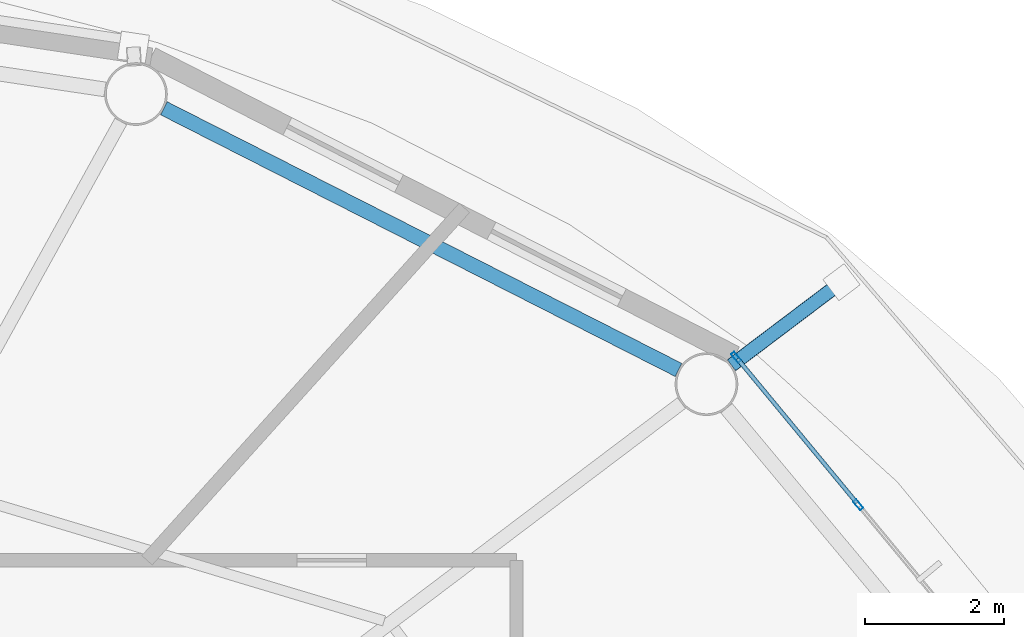
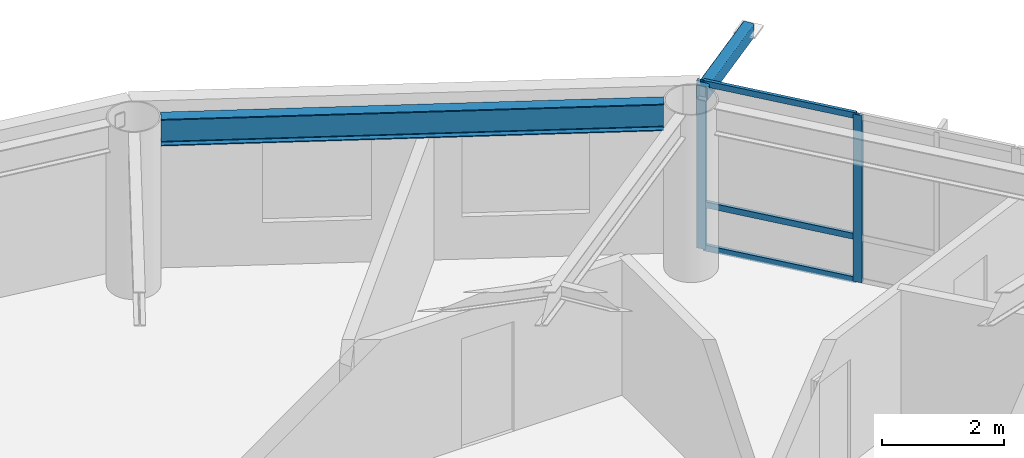
# One storey, part 11 of 22: 6 members, 1 beam, 1 element without a shape of its own.
"""IFC4 building model written with IfcOpenShell, lengths in metres."""

import ifcopenshell
import ifcopenshell.guid

model = None  # the IFC model being written
_history = None  # IfcOwnerHistory: only IFC2X3 demands one
_inside = {}  # id of a spatial element -> (the spatial element, [elements in it])
_under = {}  # id of a project, library or spatial element -> (it, [spatial elements below it])
_declared = {}  # id of a project -> (the project, [libraries it declares])
_typed = {}  # id of a type object -> (the type object, [elements of that type])
_made_of = {}  # id of a material, layer set ... -> (it, [elements and type objects made of it])


def new_model(schema):
    """Start an empty IFC model of exactly this schema.

    Asked for "IFC4X3", IfcOpenShell would pick the latest addendum, in which some entities
    have other attributes; the version numbers below select the first issue.
    IFC2X3 requires an IfcOwnerHistory on every rooted entity: one is made here for all.
    """
    global model, _history
    if schema == "IFC4X3":
        model = ifcopenshell.file(schema_version=(4, 3, 0, 0))
    else:
        model = ifcopenshell.file(schema=schema)
    _inside.clear()
    _under.clear()
    _declared.clear()
    _typed.clear()
    _made_of.clear()
    _history = None
    if model.schema == "IFC2X3":
        org = make("IfcOrganization", Name="unknown")
        user = make(
            "IfcPersonAndOrganization",
            ThePerson=make("IfcPerson", FamilyName="unknown"),
            TheOrganization=org,
        )
        app = make(
            "IfcApplication",
            ApplicationDeveloper=org,
            Version="unknown",
            ApplicationFullName="unknown",
            ApplicationIdentifier="unknown",
        )
        _history = make(
            "IfcOwnerHistory",
            OwningUser=user,
            OwningApplication=app,
            ChangeAction="ADDED",
            CreationDate=0,
        )
    return model


def make(cls, **values):
    """One entity of the class cls with the attributes given. An attribute that is None is left unset."""
    return model.create_entity(
        cls, **{name: value for name, value in values.items() if value is not None}
    )


def rooted(cls, **values):
    """An entity with a GlobalId (a new one), such as an element, a storey or a relation."""
    return make(cls, GlobalId=ifcopenshell.guid.new(), OwnerHistory=_history, **values)


def si_unit(unit_type, name, prefix=None):
    """IfcSIUnit, for example si_unit("LENGTHUNIT", "METRE", prefix="MILLI")."""
    return make("IfcSIUnit", UnitType=unit_type, Prefix=prefix, Name=name)


def assignment(units):
    """IfcUnitAssignment: the units of a project."""
    return None if units is None else make("IfcUnitAssignment", Units=units)


def point(xyz):
    """IfcCartesianPoint."""
    return None if xyz is None else make("IfcCartesianPoint", Coordinates=xyz)


def direction(xyz):
    """IfcDirection."""
    return None if xyz is None else make("IfcDirection", DirectionRatios=xyz)


def frame(location, z_axis=None, x_axis=None):
    """IfcAxis2Placement3D, a coordinate frame: its origin and axes. An axis left out is left unset."""
    return make(
        "IfcAxis2Placement3D",
        Location=point(location),
        Axis=direction(z_axis),
        RefDirection=direction(x_axis),
    )


def frame_2d(location, x_axis=None):
    """IfcAxis2Placement2D, a coordinate frame in the plane: its origin and x axis."""
    return make(
        "IfcAxis2Placement2D", Location=point(location), RefDirection=direction(x_axis)
    )


def origin():
    """The frame at (0, 0, 0) with its axes left unset."""
    return frame((0.0, 0.0, 0.0))


def origin_2d():
    """The frame at (0, 0) in the plane with its x axis left unset."""
    return frame_2d((0.0, 0.0))


def place(relative_to, where):
    """IfcLocalPlacement: puts the frame where relative to a parent placement (None: the world)."""
    return make(
        "IfcLocalPlacement", PlacementRelTo=relative_to, RelativePlacement=where
    )


def context(
    kind, dimensions, precision=None, world=None, true_north=None, identifier=None
):
    """IfcGeometricRepresentationContext, for example the 3D "Model" context."""
    return make(
        "IfcGeometricRepresentationContext",
        ContextIdentifier=identifier,
        ContextType=kind,
        CoordinateSpaceDimension=dimensions,
        Precision=precision,
        WorldCoordinateSystem=world,
        TrueNorth=true_north,
    )


def subcontext(parent, identifier, kind, view, scale=None):
    """IfcGeometricRepresentationSubContext, for example "Body" below "Model"."""
    return make(
        "IfcGeometricRepresentationSubContext",
        ContextIdentifier=identifier,
        ContextType=kind,
        ParentContext=parent,
        TargetScale=scale,
        TargetView=view,
    )


def project(units=None, contexts=None):
    """IfcProject with its units and contexts."""
    return rooted(
        "IfcProject",
        Name="project",
        RepresentationContexts=contexts,
        UnitsInContext=assignment(units),
    )


def spatial(cls, under=None, at=None, **own):
    """A site, building, storey or space (cls), placed at a placement, below another one or the project."""
    s = rooted(cls, ObjectPlacement=at, **own)
    if under is not None:
        _under.setdefault(under.id(), (under, []))[1].append(s)
    return s


def profile(cls, at=None, kind="AREA", **sizes):
    """A parametric profile (cls). Its sizes go by their IFC names, for example OverallWidth=200.0."""
    return make(cls, ProfileType=kind, Position=at, **sizes)


def hollow_rectangle(**sizes):
    """IfcRectangleHollowProfileDef."""
    return profile("IfcRectangleHollowProfileDef", **sizes)


def i_section(**sizes):
    """IfcIShapeProfileDef."""
    return profile("IfcIShapeProfileDef", **sizes)


def extrude(swept, where, along, depth):
    """IfcExtrudedAreaSolid: the profile swept, set in the frame where, extruded along a direction by depth."""
    return make(
        "IfcExtrudedAreaSolid",
        SweptArea=swept,
        Position=where,
        ExtrudedDirection=direction(along),
        Depth=depth,
    )


def shape(context_of_items, identifier, shape_type, items):
    """IfcShapeRepresentation: the items that make up one representation, for example the "Body"."""
    return make(
        "IfcShapeRepresentation",
        ContextOfItems=context_of_items,
        RepresentationIdentifier=identifier,
        RepresentationType=shape_type,
        Items=items,
    )


def material(Name=None, Category=None):
    """IfcMaterial."""
    return make("IfcMaterial", Name=Name, Category=Category)


def layer(
    of_material, thickness, ventilated=None, Name=None, Category=None, Priority=None
):
    """IfcMaterialLayer: one layer of a wall or slab, of a material (None: an air gap)."""
    return make(
        "IfcMaterialLayer",
        Material=of_material,
        LayerThickness=thickness,
        IsVentilated=ventilated,
        Name=Name,
        Category=Category,
        Priority=Priority,
    )


def layer_set(layers, Name=None):
    """IfcMaterialLayerSet."""
    return make("IfcMaterialLayerSet", MaterialLayers=layers, LayerSetName=Name)


def material_profile(
    of_material, cross_section, Name=None, Category=None, Priority=None
):
    """IfcMaterialProfile: a cross section and its material."""
    return make(
        "IfcMaterialProfile",
        Name=Name,
        Material=of_material,
        Profile=cross_section,
        Priority=Priority,
        Category=Category,
    )


def profile_set(profiles, Name=None, composite=None):
    """IfcMaterialProfileSet."""
    return make(
        "IfcMaterialProfileSet",
        Name=Name,
        MaterialProfiles=profiles,
        CompositeProfile=composite,
    )


def made_of(thing, what):
    """Note that an element or type object is made of a material, layer set ...; save() writes the relation."""
    if what is not None:
        _made_of.setdefault(what.id(), (what, []))[1].append(thing)
    return thing


def type_object(cls, material=None, **own):
    """A type object (cls), such as IfcWallType, which elements share."""
    return made_of(rooted(cls, **own), material)


def element(
    cls,
    number,
    at=None,
    inside=None,
    cuts=None,
    type_object=None,
    material=None,
    context=None,
    identifier="Body",
    shape_type=None,
    held_by="IfcProductDefinitionShape",
    body=None,
    shapes=None,
    **own,
):
    """One element of the class cls, such as IfcWall. Its Tag is "e" and its number.

    at: its placement. inside: the storey or other place that contains it. cuts: it is an
    opening in that element (IfcRelVoidsElement). A single representation is given by context,
    identifier, shape_type and body (its items); several are given by shapes. held_by: the class
    of the entity that holds the representations. save() writes the other relations.
    """
    e = rooted(cls, Tag="e%d" % number, ObjectPlacement=at, **own)
    if body is not None:
        shapes = [shape(context, identifier, shape_type, body)]
    if shapes is not None:
        e.Representation = make(held_by, Representations=shapes)
    if inside is not None:
        _inside.setdefault(inside.id(), (inside, []))[1].append(e)
    if cuts is not None:
        rooted(
            "IfcRelVoidsElement", RelatingBuildingElement=cuts, RelatedOpeningElement=e
        )
    if type_object is not None:
        _typed.setdefault(type_object.id(), (type_object, []))[1].append(e)
    return made_of(e, material)


def aggregate(whole, parts):
    """IfcRelAggregates: a whole, such as a stair, and the parts it consists of."""
    return rooted("IfcRelAggregates", RelatingObject=whole, RelatedObjects=parts)


def save(model, path):
    """Write the relations noted so far, then the file.

    IfcRelAggregates (storeys below a building ...), IfcRelContainedInSpatialStructure (elements
    in a storey), IfcRelDefinesByType, IfcRelAssociatesMaterial and IfcRelDeclares: one each for
    every whole, place, type object, material and project.
    """
    for whole, parts in _under.values():
        aggregate(whole, parts)
    for where, things in _inside.values():
        rooted(
            "IfcRelContainedInSpatialStructure",
            RelatedElements=things,
            RelatingStructure=where,
        )
    for kind, things in _typed.values():
        rooted("IfcRelDefinesByType", RelatedObjects=things, RelatingType=kind)
    for what, things in _made_of.values():
        rooted("IfcRelAssociatesMaterial", RelatedObjects=things, RelatingMaterial=what)
    for by, libraries in _declared.values():
        rooted("IfcRelDeclares", RelatingContext=by, RelatedDefinitions=libraries)
    model.write(path)


model = new_model("IFC4")

# Units and contexts
model_context = context("Model", 3, precision=1e-05, world=origin(), true_north=direction((0.0, 1.0)))
body_context = subcontext(model_context, "Body", "Model", "MODEL_VIEW")
ifc_project = project(units=[si_unit("LENGTHUNIT", "METRE"), si_unit("AREAUNIT", "SQUARE_METRE"), si_unit("VOLUMEUNIT", "CUBIC_METRE"), si_unit("PLANEANGLEUNIT", "RADIAN"), si_unit("MASSUNIT", "GRAM", prefix="KILO")], contexts=[model_context])

# Site, building, storey
site_placement = place(None, origin())
site = spatial("IfcSite", under=ifc_project, at=site_placement, CompositionType="ELEMENT")
building_placement = place(site_placement, origin())
building = spatial("IfcBuilding", under=site, at=building_placement, Name="Sarneth Arch Tower", CompositionType="ELEMENT")
storey_placement = place(building_placement, frame((0.0, 0.0, 210.0)))
storey = spatial("IfcBuildingStorey", under=building, at=storey_placement, Name="L53", CompositionType="ELEMENT", Elevation=210.0)

# Beam
ifc_material_1 = material(Name="Steel S355", Category="steel")
ifc_material_profile_1 = material_profile(ifc_material_1, i_section(OverallWidth=0.2109375, OverallDepth=0.5390625, WebThickness=0.01171875, FlangeThickness=0.018798828125, FilletRadius=0.01806640625, at=origin_2d()), Name="W530x109")
ifc_profile_set_1 = profile_set([ifc_material_profile_1], Name="Steel S355")
beam_type = type_object("IfcBeamType", Name="BM-RAD-530B", PredefinedType="BEAM", material=ifc_profile_set_1)
beam_placement = place(storey_placement, frame((65.57421875, 55.780517578125, 3.090576171875), z_axis=(-0.891376248079, 0.453264144138, 0.0), x_axis=(-0.453264144138, -0.891376248079, 0.0)))
element("IfcBeam", 1, at=beam_placement, inside=storey, type_object=beam_type, Name="L53 Perimeter spandrel beam 03", PredefinedType="BEAM", context=body_context, shape_type="SweptSolid", body=[
    extrude(i_section(OverallWidth=0.2109375, OverallDepth=0.5390625, WebThickness=0.01171875, FlangeThickness=0.018798828125, FilletRadius=0.01806640625, at=origin_2d()), origin(), (0.0, 0.0, 1.0), 8.281982421875),
])

# Curtain wall, members
ifc_material_2 = material(Name="Anodised aluminium Type AA25 and solar-control low-e laminated IGU", Category="aluminium")
ifc_layer = layer(ifc_material_2, 0.179931640625)
ifc_layer_set = layer_set([ifc_layer], Name="Anodised aluminium Type AA25 and solar-control low-e laminated IGU")
curtain_wall_type = type_object("IfcCurtainWallType", Name="CW-RES-HIGH", PredefinedType="NOTDEFINED", material=ifc_layer_set)
curtain_wall_placement = place(storey_placement, origin())
curtain_wall = element("IfcCurtainWall", 2, at=curtain_wall_placement, inside=storey, type_object=curtain_wall_type, Name="L53 Unitised curtain wall facet 02", PredefinedType="NOTDEFINED")
ifc_material_3 = material(Name="Anodised Aluminium 6063-T6", Category="aluminium")
ifc_material_profile_2 = material_profile(ifc_material_3, hollow_rectangle(XDim=0.06005859375, YDim=0.159912109375, WallThickness=0.00390625, at=origin_2d()), Name="AL-MULL-160x60x4")
ifc_profile_set_2 = profile_set([ifc_material_profile_2], Name="Anodised Aluminium 6063-T6")
member_type_1 = type_object("IfcMemberType", Name="CW-MULLION", PredefinedType="MULLION", material=ifc_profile_set_2)
member_1_placement = place(storey_placement, frame((68.15283203125, 53.84765625, 0.0), z_axis=(0.0, 0.0, 1.0), x_axis=(-0.770359245933, -0.637610094184, 0.0)))
member_1 = element("IfcMember", 3, at=member_1_placement, type_object=member_type_1, Name="CW-SYS-6 mullion 3", PredefinedType="MULLION", context=body_context, shape_type="SweptSolid", body=[
    extrude(hollow_rectangle(XDim=0.06005859375, YDim=0.159912109375, WallThickness=0.00390625, at=origin_2d()), origin(), (0.0, 0.0, 1.0), 3.360107421875),
])
member_2_placement = place(storey_placement, frame((66.401611328125, 55.96337890625, 0.0), z_axis=(0.0, 0.0, 1.0), x_axis=(-0.770359245933, -0.637610094184, 0.0)))
member_2 = element("IfcMember", 4, at=member_2_placement, type_object=member_type_1, Name="CW-SYS-6 mullion 4", PredefinedType="MULLION", context=body_context, shape_type="SweptSolid", body=[
    extrude(hollow_rectangle(XDim=0.06005859375, YDim=0.159912109375, WallThickness=0.00390625, at=origin_2d()), origin(), (0.0, 0.0, 1.0), 3.360107421875),
])
ifc_material_4 = material(Name="Anodised Aluminium 6063-T6", Category="aluminium")
ifc_material_profile_3 = material_profile(ifc_material_4, hollow_rectangle(XDim=0.06005859375, YDim=0.1201171875, WallThickness=0.00390625, at=origin_2d()), Name="AL-TRAN-120x60x4")
ifc_profile_set_3 = profile_set([ifc_material_profile_3], Name="Anodised Aluminium 6063-T6")
member_type_2 = type_object("IfcMemberType", Name="CW-TRANSOM", PredefinedType="USERDEFINED", material=ifc_profile_set_3)
member_3_placement = place(storey_placement, frame((68.1337890625, 53.87060546875, 0.030029296875), z_axis=(-0.637606765719, 0.770362000821, 0.0), x_axis=(-0.770362000821, -0.637606765719, 0.0)))
member_3 = element("IfcMember", 5, at=member_3_placement, type_object=member_type_2, Name="CW-SYS-6 transom 3.1", ObjectType="TRANSOM", PredefinedType="USERDEFINED", context=body_context, shape_type="SweptSolid", body=[
    extrude(hollow_rectangle(XDim=0.06005859375, YDim=0.1201171875, WallThickness=0.00390625, at=origin_2d()), origin(), (0.0, 0.0, 1.0), 2.686767578125),
])
member_4_placement = place(storey_placement, frame((68.1337890625, 53.87060546875, 0.89990234375), z_axis=(-0.637606765719, 0.770362000821, 0.0), x_axis=(-0.770362000821, -0.637606765719, 0.0)))
member_4 = element("IfcMember", 6, at=member_4_placement, type_object=member_type_2, Name="CW-SYS-6 transom 3.2", ObjectType="TRANSOM", PredefinedType="USERDEFINED", context=body_context, shape_type="SweptSolid", body=[
    extrude(hollow_rectangle(XDim=0.06005859375, YDim=0.1201171875, WallThickness=0.00390625, at=origin_2d()), origin(), (0.0, 0.0, 1.0), 2.686767578125),
])
member_5_placement = place(storey_placement, frame((68.1337890625, 53.87060546875, 3.330078125), z_axis=(-0.637606765719, 0.770362000821, 0.0), x_axis=(-0.770362000821, -0.637606765719, 0.0)))
member_5 = element("IfcMember", 7, at=member_5_placement, type_object=member_type_2, Name="CW-SYS-6 transom 3.3", ObjectType="TRANSOM", PredefinedType="USERDEFINED", context=body_context, shape_type="SweptSolid", body=[
    extrude(hollow_rectangle(XDim=0.06005859375, YDim=0.1201171875, WallThickness=0.00390625, at=origin_2d()), origin(), (0.0, 0.0, 1.0), 2.686767578125),
])
aggregate(curtain_wall, [member_1, member_2, member_3, member_4, member_5])

# Member
ifc_material_5 = material(Name="Steel S355", Category="steel")
ifc_material_profile_4 = material_profile(ifc_material_5, hollow_rectangle(XDim=0.199951171875, YDim=0.300048828125, WallThickness=0.012451171875, InnerFilletRadius=0.018798828125, OuterFilletRadius=0.03125, at=origin_2d()), Name="RHS300x200x12.5")
ifc_profile_set_4 = profile_set([ifc_material_profile_4], Name="Steel S355")
member_type_3 = type_object("IfcMemberType", Name="MEM-CANT-STRUT", PredefinedType="STRUT", material=ifc_profile_set_4)
member_6_placement = place(storey_placement, frame((66.334228515625, 55.84765625, 3.199951171875), z_axis=(0.797966257869, 0.602702124853, 0.0), x_axis=(-0.602702124853, 0.797966257869, 0.0)))
element("IfcMember", 8, at=member_6_placement, inside=storey, type_object=member_type_3, Name="L53 Balcony cantilever bracket 03", PredefinedType="STRUT", context=body_context, shape_type="SweptSolid", body=[
    extrude(hollow_rectangle(XDim=0.199951171875, YDim=0.300048828125, WallThickness=0.012451171875, InnerFilletRadius=0.018798828125, OuterFilletRadius=0.03125, at=origin_2d()), origin(), (0.0, 0.0, 1.0), 1.97802734375),
])

save(model, "model.ifc")
